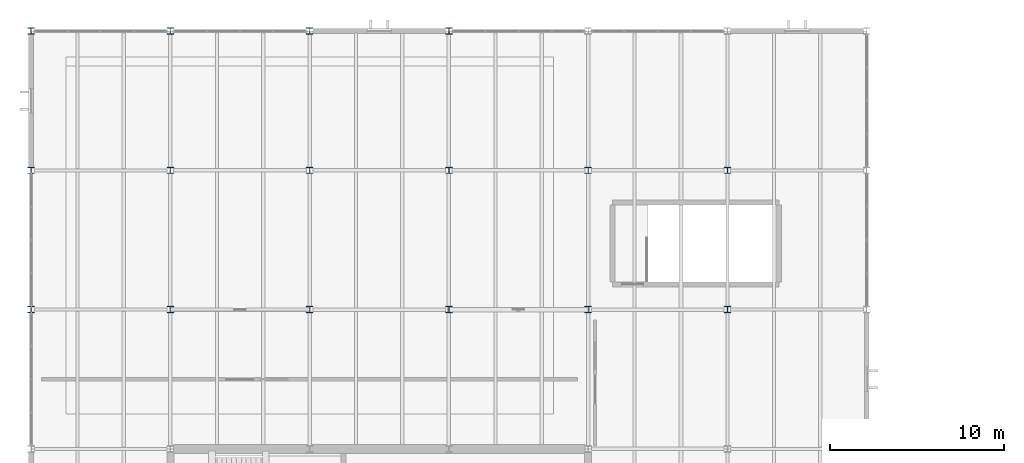
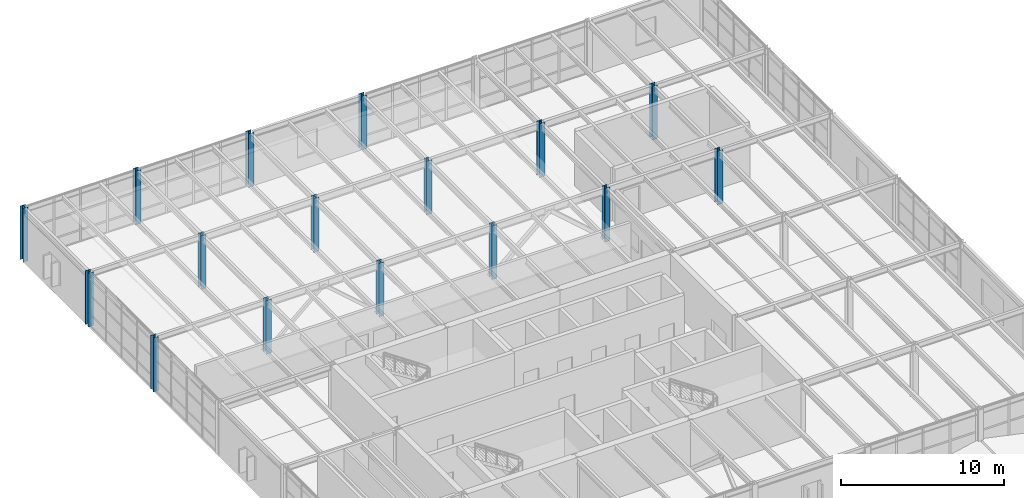
# One storey, part 3 of 34: 16 columns.
"""IFC4 building model written with IfcOpenShell, lengths in metres."""

import ifcopenshell
import ifcopenshell.guid

model = None  # the IFC model being written
_history = None  # IfcOwnerHistory: only IFC2X3 demands one
_inside = {}  # id of a spatial element -> (the spatial element, [elements in it])
_under = {}  # id of a project, library or spatial element -> (it, [spatial elements below it])
_declared = {}  # id of a project -> (the project, [libraries it declares])
_typed = {}  # id of a type object -> (the type object, [elements of that type])
_made_of = {}  # id of a material, layer set ... -> (it, [elements and type objects made of it])


def new_model(schema):
    """Start an empty IFC model of exactly this schema.

    Asked for "IFC4X3", IfcOpenShell would pick the latest addendum, in which some entities
    have other attributes; the version numbers below select the first issue.
    IFC2X3 requires an IfcOwnerHistory on every rooted entity: one is made here for all.
    """
    global model, _history
    if schema == "IFC4X3":
        model = ifcopenshell.file(schema_version=(4, 3, 0, 0))
    else:
        model = ifcopenshell.file(schema=schema)
    _inside.clear()
    _under.clear()
    _declared.clear()
    _typed.clear()
    _made_of.clear()
    _history = None
    if model.schema == "IFC2X3":
        org = make("IfcOrganization", Name="unknown")
        user = make(
            "IfcPersonAndOrganization",
            ThePerson=make("IfcPerson", FamilyName="unknown"),
            TheOrganization=org,
        )
        app = make(
            "IfcApplication",
            ApplicationDeveloper=org,
            Version="unknown",
            ApplicationFullName="unknown",
            ApplicationIdentifier="unknown",
        )
        _history = make(
            "IfcOwnerHistory",
            OwningUser=user,
            OwningApplication=app,
            ChangeAction="ADDED",
            CreationDate=0,
        )
    return model


def make(cls, **values):
    """One entity of the class cls with the attributes given. An attribute that is None is left unset."""
    return model.create_entity(
        cls, **{name: value for name, value in values.items() if value is not None}
    )


def rooted(cls, **values):
    """An entity with a GlobalId (a new one), such as an element, a storey or a relation."""
    return make(cls, GlobalId=ifcopenshell.guid.new(), OwnerHistory=_history, **values)


def si_unit(unit_type, name, prefix=None):
    """IfcSIUnit, for example si_unit("LENGTHUNIT", "METRE", prefix="MILLI")."""
    return make("IfcSIUnit", UnitType=unit_type, Prefix=prefix, Name=name)


def assignment(units):
    """IfcUnitAssignment: the units of a project."""
    return None if units is None else make("IfcUnitAssignment", Units=units)


def point(xyz):
    """IfcCartesianPoint."""
    return None if xyz is None else make("IfcCartesianPoint", Coordinates=xyz)


def direction(xyz):
    """IfcDirection."""
    return None if xyz is None else make("IfcDirection", DirectionRatios=xyz)


def frame(location, z_axis=None, x_axis=None):
    """IfcAxis2Placement3D, a coordinate frame: its origin and axes. An axis left out is left unset."""
    return make(
        "IfcAxis2Placement3D",
        Location=point(location),
        Axis=direction(z_axis),
        RefDirection=direction(x_axis),
    )


def frame_2d(location, x_axis=None):
    """IfcAxis2Placement2D, a coordinate frame in the plane: its origin and x axis."""
    return make(
        "IfcAxis2Placement2D", Location=point(location), RefDirection=direction(x_axis)
    )


def origin():
    """The frame at (0, 0, 0) with its axes left unset."""
    return frame((0.0, 0.0, 0.0))


def origin_2d():
    """The frame at (0, 0) in the plane with its x axis left unset."""
    return frame_2d((0.0, 0.0))


def place(relative_to, where):
    """IfcLocalPlacement: puts the frame where relative to a parent placement (None: the world)."""
    return make(
        "IfcLocalPlacement", PlacementRelTo=relative_to, RelativePlacement=where
    )


def context(
    kind, dimensions, precision=None, world=None, true_north=None, identifier=None
):
    """IfcGeometricRepresentationContext, for example the 3D "Model" context."""
    return make(
        "IfcGeometricRepresentationContext",
        ContextIdentifier=identifier,
        ContextType=kind,
        CoordinateSpaceDimension=dimensions,
        Precision=precision,
        WorldCoordinateSystem=world,
        TrueNorth=true_north,
    )


def subcontext(parent, identifier, kind, view, scale=None):
    """IfcGeometricRepresentationSubContext, for example "Body" below "Model"."""
    return make(
        "IfcGeometricRepresentationSubContext",
        ContextIdentifier=identifier,
        ContextType=kind,
        ParentContext=parent,
        TargetScale=scale,
        TargetView=view,
    )


def project(units=None, contexts=None):
    """IfcProject with its units and contexts."""
    return rooted(
        "IfcProject",
        Name="project",
        RepresentationContexts=contexts,
        UnitsInContext=assignment(units),
    )


def spatial(cls, under=None, at=None, **own):
    """A site, building, storey or space (cls), placed at a placement, below another one or the project."""
    s = rooted(cls, ObjectPlacement=at, **own)
    if under is not None:
        _under.setdefault(under.id(), (under, []))[1].append(s)
    return s


def profile(cls, at=None, kind="AREA", **sizes):
    """A parametric profile (cls). Its sizes go by their IFC names, for example OverallWidth=200.0."""
    return make(cls, ProfileType=kind, Position=at, **sizes)


def i_section(**sizes):
    """IfcIShapeProfileDef."""
    return profile("IfcIShapeProfileDef", **sizes)


def extrude(swept, where, along, depth):
    """IfcExtrudedAreaSolid: the profile swept, set in the frame where, extruded along a direction by depth."""
    return make(
        "IfcExtrudedAreaSolid",
        SweptArea=swept,
        Position=where,
        ExtrudedDirection=direction(along),
        Depth=depth,
    )


def shape(context_of_items, identifier, shape_type, items):
    """IfcShapeRepresentation: the items that make up one representation, for example the "Body"."""
    return make(
        "IfcShapeRepresentation",
        ContextOfItems=context_of_items,
        RepresentationIdentifier=identifier,
        RepresentationType=shape_type,
        Items=items,
    )


def material(Name=None, Category=None):
    """IfcMaterial."""
    return make("IfcMaterial", Name=Name, Category=Category)


def material_profile(
    of_material, cross_section, Name=None, Category=None, Priority=None
):
    """IfcMaterialProfile: a cross section and its material."""
    return make(
        "IfcMaterialProfile",
        Name=Name,
        Material=of_material,
        Profile=cross_section,
        Priority=Priority,
        Category=Category,
    )


def profile_set(profiles, Name=None, composite=None):
    """IfcMaterialProfileSet."""
    return make(
        "IfcMaterialProfileSet",
        Name=Name,
        MaterialProfiles=profiles,
        CompositeProfile=composite,
    )


def made_of(thing, what):
    """Note that an element or type object is made of a material, layer set ...; save() writes the relation."""
    if what is not None:
        _made_of.setdefault(what.id(), (what, []))[1].append(thing)
    return thing


def type_object(cls, material=None, **own):
    """A type object (cls), such as IfcWallType, which elements share."""
    return made_of(rooted(cls, **own), material)


def element(
    cls,
    number,
    at=None,
    inside=None,
    cuts=None,
    type_object=None,
    material=None,
    context=None,
    identifier="Body",
    shape_type=None,
    held_by="IfcProductDefinitionShape",
    body=None,
    shapes=None,
    **own,
):
    """One element of the class cls, such as IfcWall. Its Tag is "e" and its number.

    at: its placement. inside: the storey or other place that contains it. cuts: it is an
    opening in that element (IfcRelVoidsElement). A single representation is given by context,
    identifier, shape_type and body (its items); several are given by shapes. held_by: the class
    of the entity that holds the representations. save() writes the other relations.
    """
    e = rooted(cls, Tag="e%d" % number, ObjectPlacement=at, **own)
    if body is not None:
        shapes = [shape(context, identifier, shape_type, body)]
    if shapes is not None:
        e.Representation = make(held_by, Representations=shapes)
    if inside is not None:
        _inside.setdefault(inside.id(), (inside, []))[1].append(e)
    if cuts is not None:
        rooted(
            "IfcRelVoidsElement", RelatingBuildingElement=cuts, RelatedOpeningElement=e
        )
    if type_object is not None:
        _typed.setdefault(type_object.id(), (type_object, []))[1].append(e)
    return made_of(e, material)


def aggregate(whole, parts):
    """IfcRelAggregates: a whole, such as a stair, and the parts it consists of."""
    return rooted("IfcRelAggregates", RelatingObject=whole, RelatedObjects=parts)


def save(model, path):
    """Write the relations noted so far, then the file.

    IfcRelAggregates (storeys below a building ...), IfcRelContainedInSpatialStructure (elements
    in a storey), IfcRelDefinesByType, IfcRelAssociatesMaterial and IfcRelDeclares: one each for
    every whole, place, type object, material and project.
    """
    for whole, parts in _under.values():
        aggregate(whole, parts)
    for where, things in _inside.values():
        rooted(
            "IfcRelContainedInSpatialStructure",
            RelatedElements=things,
            RelatingStructure=where,
        )
    for kind, things in _typed.values():
        rooted("IfcRelDefinesByType", RelatedObjects=things, RelatingType=kind)
    for what, things in _made_of.values():
        rooted("IfcRelAssociatesMaterial", RelatedObjects=things, RelatingMaterial=what)
    for by, libraries in _declared.values():
        rooted("IfcRelDeclares", RelatingContext=by, RelatedDefinitions=libraries)
    model.write(path)


model = new_model("IFC4")

# Units and contexts
model_context = context("Model", 3, precision=1e-05, world=origin(), true_north=direction((0.0, 1.0)))
body_context = subcontext(model_context, "Body", "Model", "MODEL_VIEW")
ifc_project = project(units=[si_unit("LENGTHUNIT", "METRE"), si_unit("AREAUNIT", "SQUARE_METRE"), si_unit("VOLUMEUNIT", "CUBIC_METRE"), si_unit("PLANEANGLEUNIT", "RADIAN"), si_unit("MASSUNIT", "GRAM", prefix="KILO")], contexts=[model_context])

# Site, building, storey
site_placement = place(None, origin())
site = spatial("IfcSite", under=ifc_project, at=site_placement, CompositionType="ELEMENT")
building_placement = place(site_placement, origin())
building = spatial("IfcBuilding", under=site, at=building_placement, Name="Varnela Railside Interchange", CompositionType="ELEMENT")
storey_placement = place(building_placement, frame((0.0, 0.0, 19.60009765625)))
storey = spatial("IfcBuildingStorey", under=building, at=storey_placement, Name="L04", CompositionType="ELEMENT", Elevation=19.60009765625)

# Columns
ifc_material = material(Name="Steel AR 350 (350 MPa)", Category="steel")
ifc_material_profile = material_profile(ifc_material, i_section(OverallWidth=0.3701171875, OverallDepth=0.360107421875, WebThickness=0.01220703125, FlangeThickness=0.019775390625, at=origin_2d()), Name="W360x147")
ifc_profile_set = profile_set([ifc_material_profile], Name="Steel AR 350 (350 MPa)")
column_type = type_object("IfcColumnType", Name="Superstructure Steel Col C-19", PredefinedType="COLUMN", material=ifc_profile_set)
for number, where, z_axis, x_axis, name in (
    (1, (4.0, 78.0, 0.0), (0.0, 0.0, 1.0), (1.0, 0.0, 0.0), "Column C-19 (L04) (CL-0931)"),
    (2, (4.0, 86.0, 0.0), (0.0, 0.0, 1.0), (1.0, 0.0, 0.0), "Column C-19 (L04) (CL-0932)"),
    (3, (4.0, 94.0, 0.0), (0.0, 0.0, 1.0), (1.0, 0.0, 0.0), "Column C-19 (L04) (CL-0933)"),
    (4, (12.0, 78.0, 0.0), (0.0, 0.0, 1.0), (1.0, 0.0, 0.0), "Column C-19 (L04) (CL-0938)"),
    (5, (12.0, 86.0, 0.0), (0.0, 0.0, 1.0), (1.0, 0.0, 0.0), "Column C-19 (L04) (CL-0939)"),
    (6, (12.0, 94.0, 0.0), (0.0, 0.0, 1.0), (1.0, 0.0, 0.0), "Column C-19 (L04) (CL-0940)"),
    (7, (20.0, 78.0, 0.0), (0.0, 0.0, 1.0), (1.0, 0.0, 0.0), "Column C-19 (L04) (CL-0944)"),
    (8, (20.0, 86.0, 0.0), (0.0, 0.0, 1.0), (1.0, 0.0, 0.0), "Column C-19 (L04) (CL-0945)"),
    (9, (20.0, 94.0, 0.0), (0.0, 0.0, 1.0), (1.0, 0.0, 0.0), "Column C-19 (L04) (CL-0946)"),
    (10, (28.0, 78.0, 0.0), (0.0, 0.0, 1.0), (1.0, 0.0, 0.0), "Column C-19 (L04) (CL-0950)"),
    (11, (28.0, 86.0, 0.0), (0.0, 0.0, 1.0), (1.0, 0.0, 0.0), "Column C-19 (L04) (CL-0951)"),
    (12, (28.0, 94.0, 0.0), (0.0, 0.0, 1.0), (1.0, 0.0, 0.0), "Column C-19 (L04) (CL-0952)"),
    (13, (36.0, 78.0, 0.0), (0.0, 0.0, 1.0), (1.0, 0.0, 0.0), "Column C-19 (L04) (CL-0957)"),
    (14, (36.0, 86.0, 0.0), (0.0, 0.0, 1.0), (1.0, 0.0, 0.0), "Column C-19 (L04) (CL-0958)"),
    (15, (44.0, 78.0, 0.0), (0.0, 0.0, 1.0), (1.0, 0.0, 0.0), "Column C-19 (L04) (CL-0964)"),
    (16, (44.0, 86.0, 0.0), (0.0, 0.0, 1.0), (1.0, 0.0, 0.0), "Column C-19 (L04) (CL-0965)"),
):
    element("IfcColumn", number, at=place(storey_placement, frame(where, z_axis=z_axis, x_axis=x_axis)), inside=storey, type_object=column_type, Name=name, PredefinedType="COLUMN", context=body_context, shape_type="SweptSolid", body=[
        extrude(i_section(OverallWidth=0.3701171875, OverallDepth=0.360107421875, WebThickness=0.01220703125, FlangeThickness=0.019775390625, at=origin_2d()), origin(), (0.0, 0.0, 1.0), 4.02001953125),
    ])

save(model, "model.ifc")
